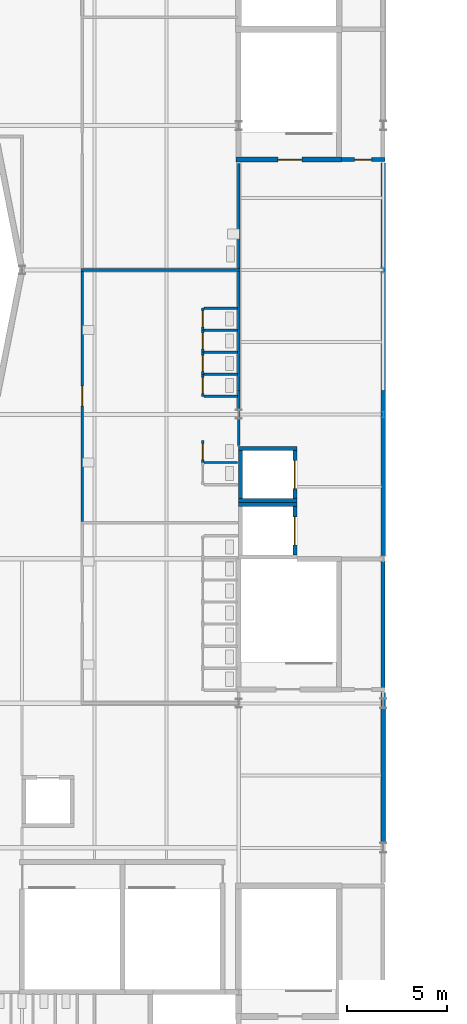
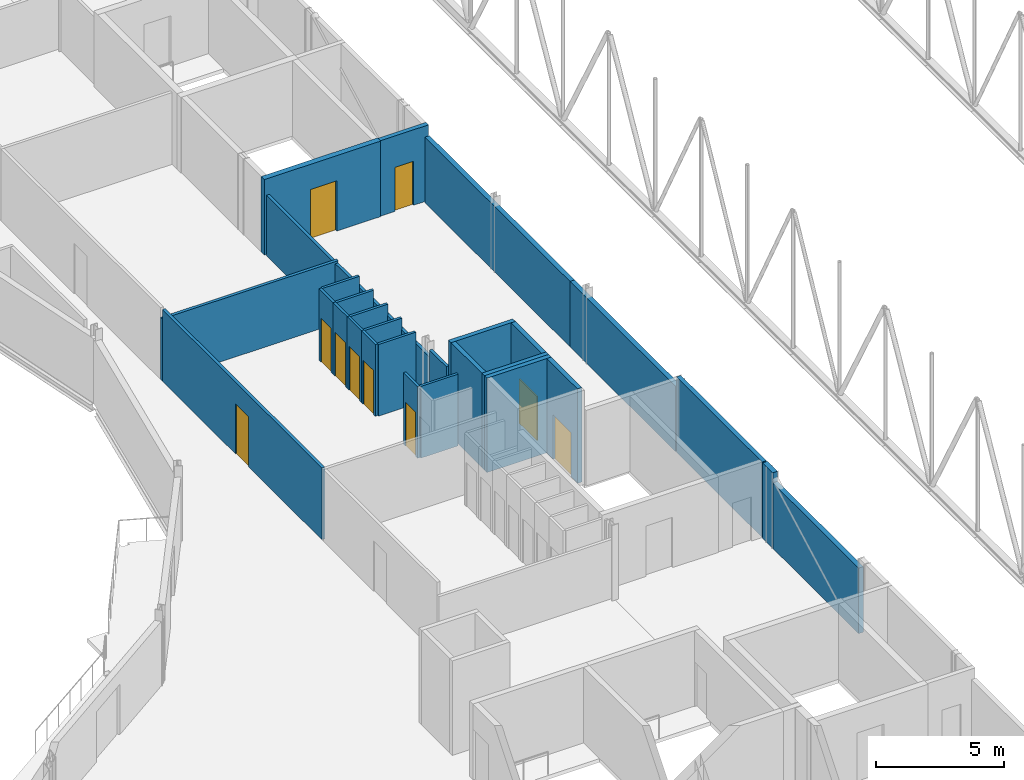
# One storey, part 93 of 142: 30 walls, 10 doors, 10 openings.
"""IFC4 building model written with IfcOpenShell, lengths in metres."""

from ifc_helpers import new_model, si_unit, direction, frame, frame_2d, origin, place, context, subcontext, project, spatial, rectangle, extrude, material, layer, layer_set, type_object, element, fill, save


model = new_model("IFC4")

# Units and contexts
model_context = context("Model", 3, precision=1e-05, world=origin(), true_north=direction((0.0, 1.0)))
body_context = subcontext(model_context, "Body", "Model", "MODEL_VIEW")
ifc_project = project(units=[si_unit("LENGTHUNIT", "METRE"), si_unit("AREAUNIT", "SQUARE_METRE"), si_unit("VOLUMEUNIT", "CUBIC_METRE"), si_unit("PLANEANGLEUNIT", "RADIAN"), si_unit("MASSUNIT", "GRAM", prefix="KILO")], contexts=[model_context])

# Site, building, storey
site_placement = place(None, origin())
site = spatial("IfcSite", under=ifc_project, at=site_placement, CompositionType="ELEMENT")
building_placement = place(site_placement, origin())
building = spatial("IfcBuilding", under=site, at=building_placement, Name="Kupolbacken Congress Centre", CompositionType="ELEMENT")
storey_placement = place(building_placement, frame((0.0, 0.0, 14.39990234375)))
storey = spatial("IfcBuildingStorey", under=building, at=storey_placement, Name="L04", CompositionType="ELEMENT", Elevation=14.39990234375)

# Wall, opening, door
ifc_material_1 = material(Name="Gypsum board", Category="drywall")
ifc_layer_1 = layer(ifc_material_1, 0.114990234375)
ifc_layer_set_1 = layer_set([ifc_layer_1], Name="Gypsum board")
wall_type_1 = type_object("IfcWallType", Name="P04 partition 115", PredefinedType="PARTITIONING", material=ifc_layer_set_1)
wall_1_placement = place(storey_placement, frame((77.39990234375, 76.800048828125, 0.0), z_axis=(0.0, 0.0, 1.0), x_axis=(0.0, 1.0, 0.0)))
wall_1 = element("IfcWall", 1, at=wall_1_placement, inside=storey, type_object=wall_type_1, Name="PD/L04/P-30-12/cub02/F", PredefinedType="PARTITIONING", context=body_context, shape_type="SweptSolid", body=[
    extrude(rectangle(XDim=1.099853515625, YDim=0.114990234375, at=frame_2d((0.5498046875, 0.0))), origin(), (0.0, 0.0, 1.0), 3.420166015625),
])
opening_1_placement = place(wall_1_placement, frame((0.14990234375, 0.0, 0.0)))
opening_1 = element("IfcOpeningElement", 2, at=opening_1_placement, cuts=wall_1, Name="Opening 4.WP113", PredefinedType="OPENING", context=body_context, shape_type="SweptSolid", body=[
    extrude(rectangle(XDim=0.800048828125, YDim=2.10009765625, at=frame_2d((0.39990234375, 1.050048828125))), frame((0.0, 0.0673828125, 0.0), z_axis=(0.0, -1.0, 0.0), x_axis=(1.0, 0.0, 0.0)), (0.0, 0.0, 1.0), 0.135009765625),
])
ifc_material_2 = material(Name="Timber door leaf", Category="wood")
door_type_1 = type_object("IfcDoorType", Name="D2 door 800x2100", OperationType="SINGLE_SWING_LEFT", PredefinedType="DOOR", material=ifc_material_2)
door_1_placement = place(opening_1_placement, origin())
door_1 = element("IfcDoor", 3, at=door_1_placement, inside=storey, type_object=door_type_1, Name="PD/L04/P-30-12/cub02/F/DC", OperationType="SINGLE_SWING_RIGHT", OverallHeight=2.10009765625, OverallWidth=0.800048828125, PredefinedType="DOOR", context=body_context, shape_type="SweptSolid", body=[
    extrude(rectangle(XDim=0.800048828125, YDim=2.10009765625, at=frame_2d((0.39990234375, 1.050048828125))), frame((0.0, 0.02490234375, 0.0), z_axis=(0.0, -1.0, 0.0), x_axis=(1.0, 0.0, 0.0)), (0.0, 0.0, 1.0), 0.050048828125),
])
fill(opening_1, door_1)

# Wall
wall_2_placement = place(storey_placement, frame((79.142578125, 76.800048828125, 0.0), z_axis=(0.0, 0.0, 1.0), x_axis=(-1.0, 0.0, 0.0)))
element("IfcWall", 4, at=wall_2_placement, inside=storey, type_object=wall_type_1, Name="PD/L04/P-30-12/cub02/a", PredefinedType="PARTITIONING", context=body_context, shape_type="SweptSolid", body=[
    extrude(rectangle(XDim=1.68505859375, YDim=0.114990234375, at=frame_2d((0.842529296875, 0.0))), origin(), (0.0, 0.0, 1.0), 3.420166015625),
])

# Wall, opening, door
wall_3_placement = place(storey_placement, frame((77.39990234375, 80.10009765625, 0.0), z_axis=(0.0, 0.0, 1.0), x_axis=(0.0, 1.0, 0.0)))
wall_3 = element("IfcWall", 5, at=wall_3_placement, inside=storey, type_object=wall_type_1, Name="PD/L04/P-30-12/cub05/F", PredefinedType="PARTITIONING", context=body_context, shape_type="SweptSolid", body=[
    extrude(rectangle(XDim=1.099853515625, YDim=0.114990234375, at=frame_2d((0.5498046875, 0.0))), origin(), (0.0, 0.0, 1.0), 3.420166015625),
])
opening_2_placement = place(wall_3_placement, frame((0.14990234375, 0.0, 0.0)))
opening_2 = element("IfcOpeningElement", 6, at=opening_2_placement, cuts=wall_3, Name="Opening 4.WP114", PredefinedType="OPENING", context=body_context, shape_type="SweptSolid", body=[
    extrude(rectangle(XDim=0.800048828125, YDim=2.10009765625, at=frame_2d((0.39990234375, 1.050048828125))), frame((0.0, 0.0673828125, 0.0), z_axis=(0.0, -1.0, 0.0), x_axis=(1.0, 0.0, 0.0)), (0.0, 0.0, 1.0), 0.135009765625),
])
door_2_placement = place(opening_2_placement, origin())
door_2 = element("IfcDoor", 7, at=door_2_placement, inside=storey, type_object=door_type_1, Name="PD/L04/P-30-12/cub05/F/DC", OperationType="SINGLE_SWING_LEFT", OverallHeight=2.10009765625, OverallWidth=0.800048828125, PredefinedType="DOOR", context=body_context, shape_type="SweptSolid", body=[
    extrude(rectangle(XDim=0.800048828125, YDim=2.10009765625, at=frame_2d((0.39990234375, 1.050048828125))), frame((0.0, 0.02490234375, 0.0), z_axis=(0.0, -1.0, 0.0), x_axis=(1.0, 0.0, 0.0)), (0.0, 0.0, 1.0), 0.050048828125),
])
fill(opening_2, door_2)

# Wall
wall_4_placement = place(storey_placement, frame((79.142578125, 80.10009765625, 0.0), z_axis=(0.0, 0.0, 1.0), x_axis=(-1.0, 0.0, 0.0)))
element("IfcWall", 8, at=wall_4_placement, inside=storey, type_object=wall_type_1, Name="PD/L04/P-30-12/cub05/a", PredefinedType="PARTITIONING", context=body_context, shape_type="SweptSolid", body=[
    extrude(rectangle(XDim=1.68505859375, YDim=0.114990234375, at=frame_2d((0.842529296875, 0.0))), origin(), (0.0, 0.0, 1.0), 3.420166015625),
])

# Wall, opening, door
wall_5_placement = place(storey_placement, frame((77.39990234375, 81.199951171875, 0.0), z_axis=(0.0, 0.0, 1.0), x_axis=(0.0, 1.0, 0.0)))
wall_5 = element("IfcWall", 9, at=wall_5_placement, inside=storey, type_object=wall_type_1, Name="PD/L04/P-30-12/cub06/F", PredefinedType="PARTITIONING", context=body_context, shape_type="SweptSolid", body=[
    extrude(rectangle(XDim=1.10009765625, YDim=0.114990234375, at=frame_2d((0.550048828125, 0.0))), origin(), (0.0, 0.0, 1.0), 3.420166015625),
])
opening_3_placement = place(wall_5_placement, frame((0.14990234375, 0.0, 0.0)))
opening_3 = element("IfcOpeningElement", 10, at=opening_3_placement, cuts=wall_5, Name="Opening 4.WP115", PredefinedType="OPENING", context=body_context, shape_type="SweptSolid", body=[
    extrude(rectangle(XDim=0.800048828125, YDim=2.10009765625, at=frame_2d((0.39990234375, 1.050048828125))), frame((0.0, 0.0673828125, 0.0), z_axis=(0.0, -1.0, 0.0), x_axis=(1.0, 0.0, 0.0)), (0.0, 0.0, 1.0), 0.135009765625),
])
door_3_placement = place(opening_3_placement, origin())
door_3 = element("IfcDoor", 11, at=door_3_placement, inside=storey, type_object=door_type_1, Name="PD/L04/P-30-12/cub06/F/DC", OperationType="SINGLE_SWING_LEFT", OverallHeight=2.10009765625, OverallWidth=0.800048828125, PredefinedType="DOOR", context=body_context, shape_type="SweptSolid", body=[
    extrude(rectangle(XDim=0.800048828125, YDim=2.10009765625, at=frame_2d((0.39990234375, 1.050048828125))), frame((0.0, 0.02490234375, 0.0), z_axis=(0.0, -1.0, 0.0), x_axis=(1.0, 0.0, 0.0)), (0.0, 0.0, 1.0), 0.050048828125),
])
fill(opening_3, door_3)

# Wall
wall_6_placement = place(storey_placement, frame((79.142578125, 81.199951171875, 0.0), z_axis=(0.0, 0.0, 1.0), x_axis=(-1.0, 0.0, 0.0)))
element("IfcWall", 12, at=wall_6_placement, inside=storey, type_object=wall_type_1, Name="PD/L04/P-30-12/cub06/a", PredefinedType="PARTITIONING", context=body_context, shape_type="SweptSolid", body=[
    extrude(rectangle(XDim=1.68505859375, YDim=0.114990234375, at=frame_2d((0.842529296875, 0.0))), origin(), (0.0, 0.0, 1.0), 3.420166015625),
])

# Wall, opening, door
wall_7_placement = place(storey_placement, frame((77.39990234375, 82.300048828125, 0.0), z_axis=(0.0, 0.0, 1.0), x_axis=(0.0, 1.0, 0.0)))
wall_7 = element("IfcWall", 13, at=wall_7_placement, inside=storey, type_object=wall_type_1, Name="PD/L04/P-30-12/cub07/F", PredefinedType="PARTITIONING", context=body_context, shape_type="SweptSolid", body=[
    extrude(rectangle(XDim=1.099853515625, YDim=0.114990234375, at=frame_2d((0.5498046875, 0.0))), origin(), (0.0, 0.0, 1.0), 3.420166015625),
])
opening_4_placement = place(wall_7_placement, frame((0.14990234375, 0.0, 0.0)))
opening_4 = element("IfcOpeningElement", 14, at=opening_4_placement, cuts=wall_7, Name="Opening 4.WP116", PredefinedType="OPENING", context=body_context, shape_type="SweptSolid", body=[
    extrude(rectangle(XDim=0.800048828125, YDim=2.10009765625, at=frame_2d((0.39990234375, 1.050048828125))), frame((0.0, 0.0673828125, 0.0), z_axis=(0.0, -1.0, 0.0), x_axis=(1.0, 0.0, 0.0)), (0.0, 0.0, 1.0), 0.135009765625),
])
door_4_placement = place(opening_4_placement, origin())
door_4 = element("IfcDoor", 15, at=door_4_placement, inside=storey, type_object=door_type_1, Name="PD/L04/P-30-12/cub07/F/DC", OperationType="SINGLE_SWING_RIGHT", OverallHeight=2.10009765625, OverallWidth=0.800048828125, PredefinedType="DOOR", context=body_context, shape_type="SweptSolid", body=[
    extrude(rectangle(XDim=0.800048828125, YDim=2.10009765625, at=frame_2d((0.39990234375, 1.050048828125))), frame((0.0, 0.02490234375, 0.0), z_axis=(0.0, -1.0, 0.0), x_axis=(1.0, 0.0, 0.0)), (0.0, 0.0, 1.0), 0.050048828125),
])
fill(opening_4, door_4)

# Wall
wall_8_placement = place(storey_placement, frame((79.142578125, 82.300048828125, 0.0), z_axis=(0.0, 0.0, 1.0), x_axis=(-1.0, 0.0, 0.0)))
element("IfcWall", 16, at=wall_8_placement, inside=storey, type_object=wall_type_1, Name="PD/L04/P-30-12/cub07/a", PredefinedType="PARTITIONING", context=body_context, shape_type="SweptSolid", body=[
    extrude(rectangle(XDim=1.68505859375, YDim=0.114990234375, at=frame_2d((0.842529296875, 0.0))), origin(), (0.0, 0.0, 1.0), 3.420166015625),
])

# Wall, opening, door
wall_9_placement = place(storey_placement, frame((77.39990234375, 83.39990234375, 0.0), z_axis=(0.0, 0.0, 1.0), x_axis=(0.0, 1.0, 0.0)))
wall_9 = element("IfcWall", 17, at=wall_9_placement, inside=storey, type_object=wall_type_1, Name="PD/L04/P-30-12/cub08/F", PredefinedType="PARTITIONING", context=body_context, shape_type="SweptSolid", body=[
    extrude(rectangle(XDim=1.10009765625, YDim=0.114990234375, at=frame_2d((0.550048828125, 0.0))), origin(), (0.0, 0.0, 1.0), 3.420166015625),
])
opening_5_placement = place(wall_9_placement, frame((0.14990234375, 0.0, 0.0)))
opening_5 = element("IfcOpeningElement", 18, at=opening_5_placement, cuts=wall_9, Name="Opening 4.WP117", PredefinedType="OPENING", context=body_context, shape_type="SweptSolid", body=[
    extrude(rectangle(XDim=0.800048828125, YDim=2.10009765625, at=frame_2d((0.39990234375, 1.050048828125))), frame((0.0, 0.0673828125, 0.0), z_axis=(0.0, -1.0, 0.0), x_axis=(1.0, 0.0, 0.0)), (0.0, 0.0, 1.0), 0.135009765625),
])
door_5_placement = place(opening_5_placement, origin())
door_5 = element("IfcDoor", 19, at=door_5_placement, inside=storey, type_object=door_type_1, Name="PD/L04/P-30-12/cub08/F/DC", OperationType="SINGLE_SWING_LEFT", OverallHeight=2.10009765625, OverallWidth=0.800048828125, PredefinedType="DOOR", context=body_context, shape_type="SweptSolid", body=[
    extrude(rectangle(XDim=0.800048828125, YDim=2.10009765625, at=frame_2d((0.39990234375, 1.050048828125))), frame((0.0, 0.02490234375, 0.0), z_axis=(0.0, -1.0, 0.0), x_axis=(1.0, 0.0, 0.0)), (0.0, 0.0, 1.0), 0.050048828125),
])
fill(opening_5, door_5)

# Walls
for number, where, z_axis, x_axis, name in (
    (20, (79.142578125, 83.39990234375, 0.0), (0.0, 0.0, 1.0), (-1.0, 0.0, 0.0), "PD/L04/P-30-12/cub08/a"),
    (21, (79.142578125, 84.5, 0.0), (0.0, 0.0, 1.0), (-1.0, 0.0, 0.0), "PD/L04/P-30-12/cub08/b"),
):
    element("IfcWall", number, at=place(storey_placement, frame(where, z_axis=z_axis, x_axis=x_axis)), inside=storey, type_object=wall_type_1, Name=name, PredefinedType="PARTITIONING", context=body_context, shape_type="SweptSolid", body=[
        extrude(rectangle(XDim=1.68505859375, YDim=0.114990234375, at=frame_2d((0.842529296875, 0.0))), origin(), (0.0, 0.0, 1.0), 3.420166015625),
    ])
ifc_material_3 = material(Name="Gypsum board", Category="drywall")
ifc_layer_2 = layer(ifc_material_3, 0.135009765625)
ifc_layer_set_2 = layer_set([ifc_layer_2], Name="Gypsum board")
wall_type_2 = type_object("IfcWallType", Name="P06 compartment wall 135", PredefinedType="PARTITIONING", material=ifc_layer_set_2)
wall_10_placement = place(storey_placement, frame((79.199951171875, 77.659912109375, 0.0), z_axis=(0.0, 0.0, 1.0), x_axis=(0.0, 1.0, 0.0)))
element("IfcWall", 22, at=wall_10_placement, inside=storey, type_object=wall_type_2, Name="PD/L04/W011", PredefinedType="PARTITIONING", context=body_context, shape_type="SweptSolid", body=[
    extrude(rectangle(XDim=1.315185546875, YDim=0.135009765625, at=frame_2d((0.65771484375, 0.0))), origin(), (0.0, 0.0, 1.0), 3.218994140625),
])
wall_11_placement = place(storey_placement, frame((79.199951171875, 86.33251953125, 0.0), z_axis=(0.0, 0.0, 1.0), x_axis=(0.0, -1.0, 0.0)))
element("IfcWall", 23, at=wall_11_placement, inside=storey, type_object=wall_type_2, Name="PD/L04/W013", PredefinedType="PARTITIONING", context=body_context, shape_type="SweptSolid", body=[
    extrude(rectangle(XDim=5.9326171875, YDim=0.135009765625, at=frame_2d((2.96630859375, 0.0))), origin(), (0.0, 0.0, 1.0), 2.8701171875),
])
wall_12_placement = place(storey_placement, frame((79.199951171875, 91.715087890625, 0.0), z_axis=(0.0, 0.0, 1.0), x_axis=(0.0, -1.0, 0.0)))
element("IfcWall", 24, at=wall_12_placement, inside=storey, type_object=wall_type_2, Name="PD/L04/W014", PredefinedType="PARTITIONING", context=body_context, shape_type="SweptSolid", body=[
    extrude(rectangle(XDim=5.24755859375, YDim=0.135009765625, at=frame_2d((2.623779296875, 0.0))), origin(), (0.0, 0.0, 1.0), 2.8701171875),
])
wall_13_placement = place(storey_placement, frame((71.33251953125, 86.39990234375, 0.0), z_axis=(0.0, 0.0, 1.0), x_axis=(1.0, 0.0, 0.0)))
element("IfcWall", 25, at=wall_13_placement, inside=storey, type_object=wall_type_2, Name="PD/L04/W069", PredefinedType="PARTITIONING", context=body_context, shape_type="SweptSolid", body=[
    extrude(rectangle(XDim=7.93505859375, YDim=0.135009765625, at=frame_2d((3.967529296875, 0.0))), origin(), (0.0, 0.0, 1.0), 2.968994140625),
])

# Wall, opening, door
wall_14_placement = place(storey_placement, frame((71.39990234375, 73.867431640625, 0.0), z_axis=(0.0, 0.0, 1.0), x_axis=(0.0, 1.0, 0.0)))
wall_14 = element("IfcWall", 26, at=wall_14_placement, inside=storey, type_object=wall_type_2, Name="PD/L04/W070", PredefinedType="PARTITIONING", context=body_context, shape_type="SweptSolid", body=[
    extrude(rectangle(XDim=12.465087890625, YDim=0.135009765625, at=frame_2d((6.232421875, 0.0))), origin(), (0.0, 0.0, 1.0), 3.420166015625),
])
opening_6_placement = place(wall_14_placement, frame((5.75, 0.0, 0.0)))
opening_6 = element("IfcOpeningElement", 27, at=opening_6_placement, cuts=wall_14, Name="Opening 4.P18", PredefinedType="OPENING", context=body_context, shape_type="SweptSolid", body=[
    extrude(rectangle(XDim=1.0, YDim=2.39990234375, at=frame_2d((0.5, 1.199951171875))), frame((0.0, 0.077392578125, 0.0), z_axis=(0.0, -1.0, 0.0), x_axis=(1.0, 0.0, 0.0)), (0.0, 0.0, 1.0), 0.155029296875),
])
ifc_material_4 = material(Name="Steel fire door leaf", Category="steel")
door_type_2 = type_object("IfcDoorType", Name="D8 fire door 1000x2400", OperationType="SINGLE_SWING_LEFT", PredefinedType="DOOR", material=ifc_material_4)
door_6_placement = place(opening_6_placement, frame((1.0, 0.0, 0.0), z_axis=(0.0, 0.0, 1.0), x_axis=(-1.0, 0.0, 0.0)))
door_6 = element("IfcDoor", 28, at=door_6_placement, inside=storey, type_object=door_type_2, Name="PD/L04/W070/D4P18", OperationType="SINGLE_SWING_LEFT", OverallHeight=2.39990234375, OverallWidth=1.0, PredefinedType="DOOR", context=body_context, shape_type="SweptSolid", body=[
    extrude(rectangle(XDim=1.0, YDim=2.39990234375, at=frame_2d((0.5, 1.199951171875))), frame((0.0, 0.02490234375, 0.0), z_axis=(0.0, -1.0, 0.0), x_axis=(1.0, 0.0, 0.0)), (0.0, 0.0, 1.0), 0.050048828125),
])
fill(opening_6, door_6)

# Walls
wall_15_placement = place(storey_placement, frame((79.199951171875, 78.97509765625, 0.0), z_axis=(0.0, 0.0, 1.0), x_axis=(0.0, 1.0, 0.0)))
element("IfcWall", 29, at=wall_15_placement, inside=storey, type_object=wall_type_2, Name="PD/L04/W011.h1", PredefinedType="PARTITIONING", context=body_context, shape_type="SweptSolid", body=[
    extrude(rectangle(XDim=1.4248046875, YDim=0.135009765625, at=frame_2d((0.71240234375, 0.0))), origin(), (0.0, 0.0, 1.0), 2.8701171875),
])
ifc_material_5 = material(Name="Dense concrete block", Category="masonry")
ifc_layer_3 = layer(ifc_material_5, 0.215087890625)
ifc_layer_set_3 = layer_set([ifc_layer_3], Name="Dense concrete block")
wall_type_3 = type_object("IfcWallType", Name="P15 partition 215", PredefinedType="PARTITIONING", material=ifc_layer_set_3)
wall_16_placement = place(storey_placement, frame((86.39990234375, 80.39990234375, 0.0), z_axis=(0.0, 0.0, 1.0), x_axis=(0.0, -1.0, 0.0)))
element("IfcWall", 30, at=wall_16_placement, inside=storey, type_object=wall_type_3, Name="PD/L04/W012", PredefinedType="PARTITIONING", context=body_context, shape_type="SweptSolid", body=[
    extrude(rectangle(XDim=8.239990234375, YDim=0.215087890625, at=frame_2d((4.1201171875, 0.0))), origin(), (0.0, 0.0, 1.0), 3.1201171875),
])
wall_17_placement = place(storey_placement, frame((86.39990234375, 80.39990234375, 0.0), z_axis=(0.0, 0.0, 1.0), x_axis=(0.0, 1.0, 0.0)))
element("IfcWall", 31, at=wall_17_placement, inside=storey, type_object=wall_type_3, Name="PD/L04/W015", PredefinedType="PARTITIONING", context=body_context, shape_type="SweptSolid", body=[
    extrude(rectangle(XDim=11.340087890625, YDim=0.215087890625, at=frame_2d((5.669921875, 0.0))), origin(), (0.0, 0.0, 1.0), 3.1201171875),
])
wall_18_placement = place(storey_placement, frame((86.39990234375, 57.844970703125, 0.0), z_axis=(0.0, 0.0, 1.0), x_axis=(0.0, 1.0, 0.0)))
element("IfcWall", 32, at=wall_18_placement, inside=storey, type_object=wall_type_3, Name="PD/L04/W010.h1", PredefinedType="PARTITIONING", context=body_context, shape_type="SweptSolid", body=[
    extrude(rectangle(XDim=6.7099609375, YDim=0.215087890625, at=frame_2d((3.35498046875, 0.0))), origin(), (0.0, 0.0, 1.0), 3.1201171875),
])
wall_19_placement = place(storey_placement, frame((86.39990234375, 64.554931640625, 0.0), z_axis=(0.0, 0.0, 1.0), x_axis=(0.0, 1.0, 0.0)))
element("IfcWall", 33, at=wall_19_placement, inside=storey, type_object=wall_type_3, Name="PD/L04/W010.h2", PredefinedType="PARTITIONING", context=body_context, shape_type="SweptSolid", body=[
    extrude(rectangle(XDim=0.78515625, YDim=0.215087890625, at=frame_2d((0.392578125, 0.0))), origin(), (0.0, 0.0, 1.0), 3.60009765625),
])
ifc_material_6 = material(Name="Concrete C40/50", Category="concrete")
ifc_layer_4 = layer(ifc_material_6, 0.199951171875)
ifc_layer_set_4 = layer_set([ifc_layer_4], Name="Concrete C40/50")
wall_type_4 = type_object("IfcWallType", Name="WC1 RC shaft wall 200", PredefinedType="SHEAR", material=ifc_layer_set_4)
wall_20_placement = place(storey_placement, frame((86.39990234375, 65.39990234375, 0.0), z_axis=(0.0, 0.0, 1.0), x_axis=(0.0, 1.0, 0.0)))
element("IfcWall", 34, at=wall_20_placement, inside=storey, type_object=wall_type_4, Name="Shaft wall L04-048", PredefinedType="SHEAR", context=body_context, shape_type="SweptSolid", body=[
    extrude(rectangle(XDim=6.7001953125, YDim=0.199951171875, at=frame_2d((3.35009765625, 0.0))), origin(), (0.0, 0.0, 1.0), 3.60009765625),
])

# Wall, opening, door
wall_21_placement = place(storey_placement, frame((84.324951171875, 91.89990234375, 0.0), z_axis=(0.0, 0.0, 1.0), x_axis=(1.0, 0.0, 0.0)))
wall_21 = element("IfcWall", 35, at=wall_21_placement, inside=storey, type_object=wall_type_4, Name="Shaft wall L04-053", PredefinedType="SHEAR", context=body_context, shape_type="SweptSolid", body=[
    extrude(rectangle(XDim=2.175048828125, YDim=0.199951171875, at=frame_2d((1.08740234375, 0.0))), origin(), (0.0, 0.0, 1.0), 3.60009765625),
])
opening_7_placement = place(wall_21_placement, frame((0.64990234375, 0.0, 0.0)))
opening_7 = element("IfcOpeningElement", 36, at=opening_7_placement, cuts=wall_21, Name="Opening 4.L08", PredefinedType="OPENING", context=body_context, shape_type="SweptSolid", body=[
    extrude(rectangle(XDim=0.85009765625, YDim=2.10009765625, at=frame_2d((0.425048828125, 1.050048828125))), frame((0.0, 0.10986328125, 0.0), z_axis=(0.0, -1.0, 0.0), x_axis=(1.0, 0.0, 0.0)), (0.0, 0.0, 1.0), 0.219970703125),
])
ifc_material_7 = material(Name="Steel fire door leaf", Category="steel")
door_type_3 = type_object("IfcDoorType", Name="D3 fire door 850x2100", OperationType="SINGLE_SWING_LEFT", PredefinedType="DOOR", material=ifc_material_7)
door_7_placement = place(opening_7_placement, origin())
door_7 = element("IfcDoor", 37, at=door_7_placement, inside=storey, type_object=door_type_3, Name="S/core/L04/053/D4L08", OperationType="SINGLE_SWING_LEFT", OverallHeight=2.10009765625, OverallWidth=0.85009765625, PredefinedType="DOOR", context=body_context, shape_type="SweptSolid", body=[
    extrude(rectangle(XDim=0.85009765625, YDim=2.10009765625, at=frame_2d((0.425048828125, 1.050048828125))), frame((0.0, 0.02490234375, 0.0), z_axis=(0.0, -1.0, 0.0), x_axis=(1.0, 0.0, 0.0)), (0.0, 0.0, 1.0), 0.050048828125),
])
fill(opening_7, door_7)

# Wall
wall_22_placement = place(storey_placement, frame((79.199951171875, 74.699951171875, 0.0), z_axis=(0.0, 0.0, 1.0), x_axis=(1.0, 0.0, 0.0)))
element("IfcWall", 38, at=wall_22_placement, inside=storey, type_object=wall_type_4, Name="Shaft wall LG3", PredefinedType="SHEAR", context=body_context, shape_type="SweptSolid", body=[
    extrude(rectangle(XDim=2.900146484375, YDim=0.199951171875, at=frame_2d((1.4501953125, 0.0))), origin(), (0.0, 0.0, 1.0), 4.5),
])

# Wall, opening, door
wall_23_placement = place(storey_placement, frame((82.0, 72.199951171875, 0.0), z_axis=(0.0, 0.0, 1.0), x_axis=(0.0, 1.0, 0.0)))
wall_23 = element("IfcWall", 39, at=wall_23_placement, inside=storey, type_object=wall_type_4, Name="Shaft wall LG3", PredefinedType="SHEAR", context=body_context, shape_type="SweptSolid", body=[
    extrude(rectangle(XDim=2.400146484375, YDim=0.199951171875, at=frame_2d((1.2001953125, 0.0))), origin(), (0.0, 0.0, 1.0), 4.5),
])
opening_8_placement = place(wall_23_placement, frame((0.5, 0.0, 0.0)))
opening_8 = element("IfcOpeningElement", 40, at=opening_8_placement, cuts=wall_23, Name="Opening LD3", PredefinedType="OPENING", context=body_context, shape_type="SweptSolid", body=[
    extrude(rectangle(XDim=1.39990234375, YDim=2.10009765625, at=frame_2d((0.699951171875, 1.050048828125))), frame((0.0, 0.10986328125, 0.0), z_axis=(0.0, -1.0, 0.0), x_axis=(1.0, 0.0, 0.0)), (0.0, 0.0, 1.0), 0.219970703125),
])
ifc_material_8 = material(Name="Stainless steel door leaf", Category="steel")
door_type_4 = type_object("IfcDoorType", Name="LD3 lift landing door 1400x2100", OperationType="SLIDING_TO_LEFT", PredefinedType="DOOR", material=ifc_material_8)
door_8_placement = place(opening_8_placement, origin())
door_8 = element("IfcDoor", 41, at=door_8_placement, inside=storey, type_object=door_type_4, Name="Lift landing door LG3", OperationType="SLIDING_TO_LEFT", OverallHeight=2.10009765625, OverallWidth=1.39990234375, PredefinedType="DOOR", context=body_context, shape_type="SweptSolid", body=[
    extrude(rectangle(XDim=1.39990234375, YDim=2.10009765625, at=frame_2d((0.699951171875, 1.050048828125))), frame((0.0, 0.02490234375, 0.0), z_axis=(0.0, -1.0, 0.0), x_axis=(1.0, 0.0, 0.0)), (0.0, 0.0, 1.0), 0.050048828125),
])
fill(opening_8, door_8)

# Walls
for number, where, z_axis, x_axis, name in (
    (42, (79.199951171875, 74.89990234375, 0.0), (0.0, 0.0, 1.0), (1.0, 0.0, 0.0), "Shaft wall LG4"),
    (43, (79.199951171875, 77.5, 0.0), (0.0, 0.0, 1.0), (1.0, 0.0, 0.0), "Shaft wall LG4"),
):
    element("IfcWall", number, at=place(storey_placement, frame(where, z_axis=z_axis, x_axis=x_axis)), inside=storey, type_object=wall_type_4, Name=name, PredefinedType="SHEAR", context=body_context, shape_type="SweptSolid", body=[
        extrude(rectangle(XDim=2.900146484375, YDim=0.199951171875, at=frame_2d((1.4501953125, 0.0))), origin(), (0.0, 0.0, 1.0), 4.5),
    ])
wall_24_placement = place(storey_placement, frame((79.300048828125, 75.0, 0.0), z_axis=(0.0, 0.0, 1.0), x_axis=(0.0, 1.0, 0.0)))
element("IfcWall", 44, at=wall_24_placement, inside=storey, type_object=wall_type_4, Name="Shaft wall LG4", PredefinedType="SHEAR", context=body_context, shape_type="SweptSolid", body=[
    extrude(rectangle(XDim=2.39990234375, YDim=0.199951171875, at=frame_2d((1.199951171875, 0.0))), origin(), (0.0, 0.0, 1.0), 4.5),
])

# Wall, opening, door
wall_25_placement = place(storey_placement, frame((82.0, 75.0, 0.0), z_axis=(0.0, 0.0, 1.0), x_axis=(0.0, 1.0, 0.0)))
wall_25 = element("IfcWall", 45, at=wall_25_placement, inside=storey, type_object=wall_type_4, Name="Shaft wall LG4", PredefinedType="SHEAR", context=body_context, shape_type="SweptSolid", body=[
    extrude(rectangle(XDim=2.39990234375, YDim=0.199951171875, at=frame_2d((1.199951171875, 0.0))), origin(), (0.0, 0.0, 1.0), 4.5),
])
opening_9_placement = place(wall_25_placement, frame((0.5, 0.0, 0.0)))
opening_9 = element("IfcOpeningElement", 46, at=opening_9_placement, cuts=wall_25, Name="Opening LD3", PredefinedType="OPENING", context=body_context, shape_type="SweptSolid", body=[
    extrude(rectangle(XDim=1.39990234375, YDim=2.10009765625, at=frame_2d((0.699951171875, 1.050048828125))), frame((0.0, 0.10986328125, 0.0), z_axis=(0.0, -1.0, 0.0), x_axis=(1.0, 0.0, 0.0)), (0.0, 0.0, 1.0), 0.219970703125),
])
door_9_placement = place(opening_9_placement, origin())
door_9 = element("IfcDoor", 47, at=door_9_placement, inside=storey, type_object=door_type_4, Name="Lift landing door LG4", OperationType="SLIDING_TO_LEFT", OverallHeight=2.10009765625, OverallWidth=1.39990234375, PredefinedType="DOOR", context=body_context, shape_type="SweptSolid", body=[
    extrude(rectangle(XDim=1.39990234375, YDim=2.10009765625, at=frame_2d((0.699951171875, 1.050048828125))), frame((0.0, 0.02490234375, 0.0), z_axis=(0.0, -1.0, 0.0), x_axis=(1.0, 0.0, 0.0)), (0.0, 0.0, 1.0), 0.050048828125),
])
fill(opening_9, door_9)

ifc_material_9 = material(Name="Concrete C40/50", Category="concrete")
ifc_layer_5 = layer(ifc_material_9, 0.25)
ifc_layer_set_5 = layer_set([ifc_layer_5], Name="Concrete C40/50")
wall_type_5 = type_object("IfcWallType", Name="WC2 RC stair enclosure wall 250", PredefinedType="SHEAR", material=ifc_layer_set_5)
wall_26_placement = place(storey_placement, frame((79.074951171875, 91.89990234375, 0.0), z_axis=(0.0, 0.0, 1.0), x_axis=(1.0, 0.0, 0.0)))
wall_26 = element("IfcWall", 48, at=wall_26_placement, inside=storey, type_object=wall_type_5, Name="Stair enclosure wall L04-052", PredefinedType="SHEAR", context=body_context, shape_type="SweptSolid", body=[
    extrude(rectangle(XDim=5.25, YDim=0.25, at=frame_2d((2.625, 0.0))), origin(), (0.0, 0.0, 1.0), 3.60009765625),
])
opening_10_placement = place(wall_26_placement, frame((2.074951171875, 0.0, 0.0)))
opening_10 = element("IfcOpeningElement", 49, at=opening_10_placement, cuts=wall_26, Name="Opening 4.L03", PredefinedType="OPENING", context=body_context, shape_type="SweptSolid", body=[
    extrude(rectangle(XDim=1.199951171875, YDim=2.39990234375, at=frame_2d((0.60009765625, 1.199951171875))), frame((0.0, 0.135009765625, 0.0), z_axis=(0.0, -1.0, 0.0), x_axis=(1.0, 0.0, 0.0)), (0.0, 0.0, 1.0), 0.27001953125),
])
ifc_material_10 = material(Name="Steel fire door leaf", Category="steel")
door_type_5 = type_object("IfcDoorType", Name="D9 fire door 1200x2400", OperationType="SINGLE_SWING_LEFT", PredefinedType="DOOR", material=ifc_material_10)
door_10_placement = place(opening_10_placement, origin())
door_10 = element("IfcDoor", 50, at=door_10_placement, inside=storey, type_object=door_type_5, Name="S/core/L04/052/D4L03", OperationType="SINGLE_SWING_LEFT", OverallHeight=2.39990234375, OverallWidth=1.199951171875, PredefinedType="DOOR", context=body_context, shape_type="SweptSolid", body=[
    extrude(rectangle(XDim=1.199951171875, YDim=2.39990234375, at=frame_2d((0.60009765625, 1.199951171875))), frame((0.0, 0.02490234375, 0.0), z_axis=(0.0, -1.0, 0.0), x_axis=(1.0, 0.0, 0.0)), (0.0, 0.0, 1.0), 0.050048828125),
])
fill(opening_10, door_10)

save(model, "model.ifc")
